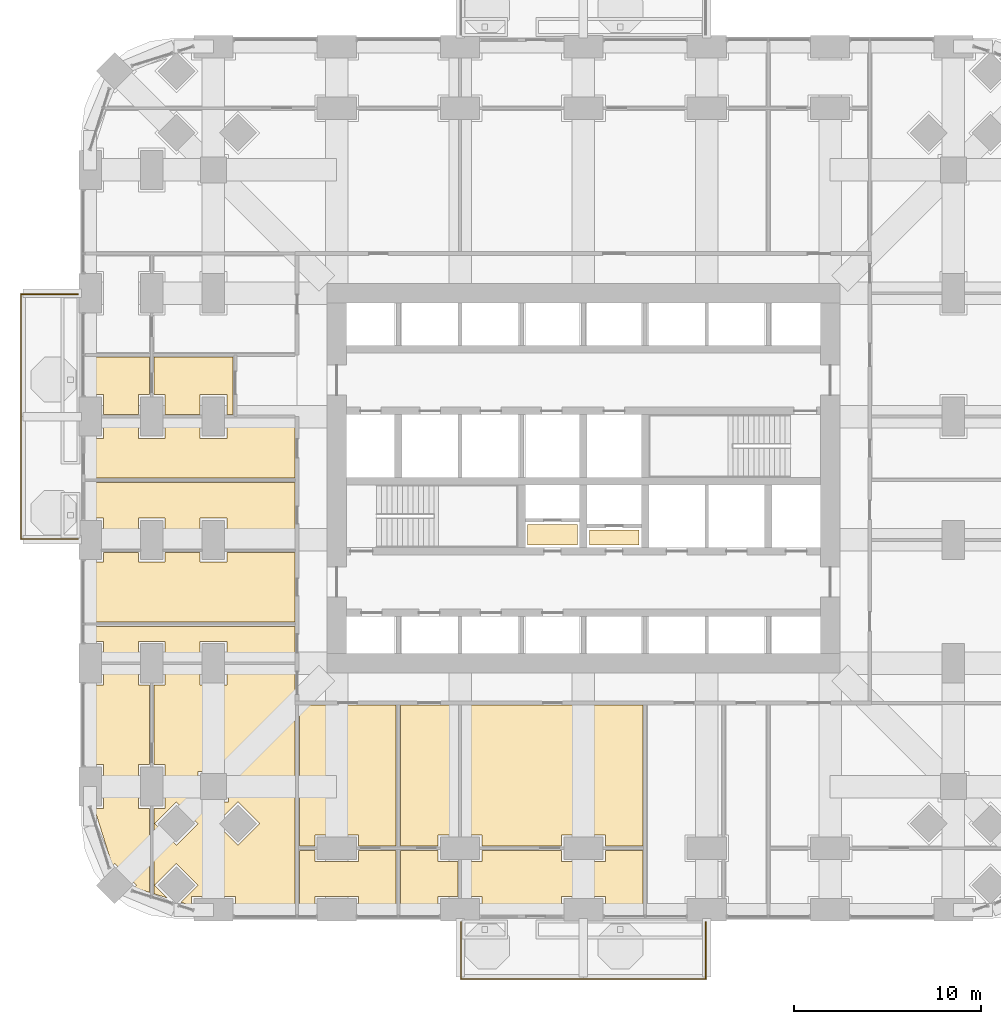
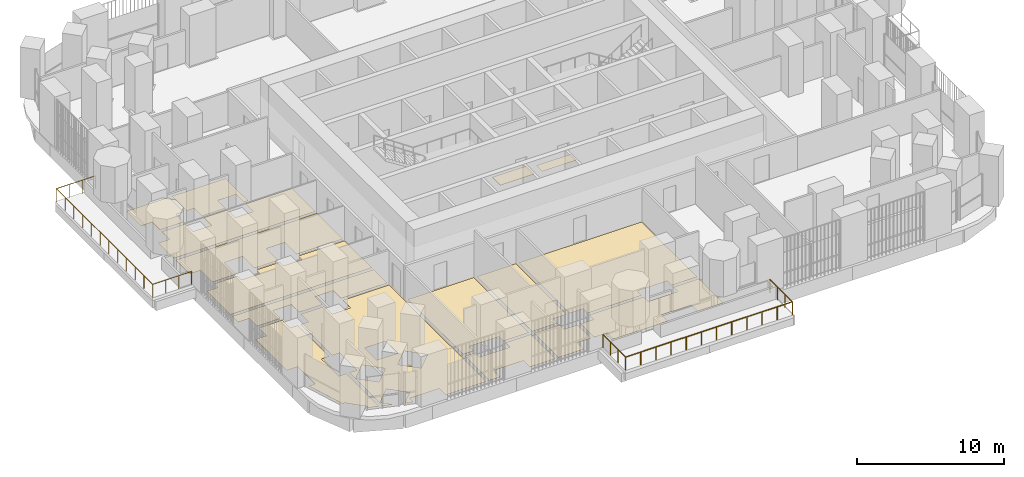
# One storey, part 22 of 26: 16 coverings, 2 railings.
"""IFC4 building model written with IfcOpenShell, lengths in metres."""

import ifcopenshell
import ifcopenshell.guid

model = None  # the IFC model being written
_history = None  # IfcOwnerHistory: only IFC2X3 demands one
_inside = {}  # id of a spatial element -> (the spatial element, [elements in it])
_under = {}  # id of a project, library or spatial element -> (it, [spatial elements below it])
_declared = {}  # id of a project -> (the project, [libraries it declares])
_typed = {}  # id of a type object -> (the type object, [elements of that type])
_made_of = {}  # id of a material, layer set ... -> (it, [elements and type objects made of it])


def new_model(schema):
    """Start an empty IFC model of exactly this schema.

    Asked for "IFC4X3", IfcOpenShell would pick the latest addendum, in which some entities
    have other attributes; the version numbers below select the first issue.
    IFC2X3 requires an IfcOwnerHistory on every rooted entity: one is made here for all.
    """
    global model, _history
    if schema == "IFC4X3":
        model = ifcopenshell.file(schema_version=(4, 3, 0, 0))
    else:
        model = ifcopenshell.file(schema=schema)
    _inside.clear()
    _under.clear()
    _declared.clear()
    _typed.clear()
    _made_of.clear()
    _history = None
    if model.schema == "IFC2X3":
        org = make("IfcOrganization", Name="unknown")
        user = make(
            "IfcPersonAndOrganization",
            ThePerson=make("IfcPerson", FamilyName="unknown"),
            TheOrganization=org,
        )
        app = make(
            "IfcApplication",
            ApplicationDeveloper=org,
            Version="unknown",
            ApplicationFullName="unknown",
            ApplicationIdentifier="unknown",
        )
        _history = make(
            "IfcOwnerHistory",
            OwningUser=user,
            OwningApplication=app,
            ChangeAction="ADDED",
            CreationDate=0,
        )
    return model


def make(cls, **values):
    """One entity of the class cls with the attributes given. An attribute that is None is left unset."""
    return model.create_entity(
        cls, **{name: value for name, value in values.items() if value is not None}
    )


def rooted(cls, **values):
    """An entity with a GlobalId (a new one), such as an element, a storey or a relation."""
    return make(cls, GlobalId=ifcopenshell.guid.new(), OwnerHistory=_history, **values)


def si_unit(unit_type, name, prefix=None):
    """IfcSIUnit, for example si_unit("LENGTHUNIT", "METRE", prefix="MILLI")."""
    return make("IfcSIUnit", UnitType=unit_type, Prefix=prefix, Name=name)


def assignment(units):
    """IfcUnitAssignment: the units of a project."""
    return None if units is None else make("IfcUnitAssignment", Units=units)


def point(xyz):
    """IfcCartesianPoint."""
    return None if xyz is None else make("IfcCartesianPoint", Coordinates=xyz)


def direction(xyz):
    """IfcDirection."""
    return None if xyz is None else make("IfcDirection", DirectionRatios=xyz)


def frame(location, z_axis=None, x_axis=None):
    """IfcAxis2Placement3D, a coordinate frame: its origin and axes. An axis left out is left unset."""
    return make(
        "IfcAxis2Placement3D",
        Location=point(location),
        Axis=direction(z_axis),
        RefDirection=direction(x_axis),
    )


def origin():
    """The frame at (0, 0, 0) with its axes left unset."""
    return frame((0.0, 0.0, 0.0))


def place(relative_to, where):
    """IfcLocalPlacement: puts the frame where relative to a parent placement (None: the world)."""
    return make(
        "IfcLocalPlacement", PlacementRelTo=relative_to, RelativePlacement=where
    )


def context(
    kind, dimensions, precision=None, world=None, true_north=None, identifier=None
):
    """IfcGeometricRepresentationContext, for example the 3D "Model" context."""
    return make(
        "IfcGeometricRepresentationContext",
        ContextIdentifier=identifier,
        ContextType=kind,
        CoordinateSpaceDimension=dimensions,
        Precision=precision,
        WorldCoordinateSystem=world,
        TrueNorth=true_north,
    )


def subcontext(parent, identifier, kind, view, scale=None):
    """IfcGeometricRepresentationSubContext, for example "Body" below "Model"."""
    return make(
        "IfcGeometricRepresentationSubContext",
        ContextIdentifier=identifier,
        ContextType=kind,
        ParentContext=parent,
        TargetScale=scale,
        TargetView=view,
    )


def project(units=None, contexts=None):
    """IfcProject with its units and contexts."""
    return rooted(
        "IfcProject",
        Name="project",
        RepresentationContexts=contexts,
        UnitsInContext=assignment(units),
    )


def spatial(cls, under=None, at=None, **own):
    """A site, building, storey or space (cls), placed at a placement, below another one or the project."""
    s = rooted(cls, ObjectPlacement=at, **own)
    if under is not None:
        _under.setdefault(under.id(), (under, []))[1].append(s)
    return s


def polyline(points):
    """IfcPolyline through the points."""
    return make("IfcPolyline", Points=[point(p) for p in points])


def outline(outer, holes=None, kind="AREA"):
    """IfcArbitraryClosedProfileDef: a profile drawn as a closed curve; with holes, ...WithVoids."""
    if holes is None:
        return make("IfcArbitraryClosedProfileDef", ProfileType=kind, OuterCurve=outer)
    return make(
        "IfcArbitraryProfileDefWithVoids",
        ProfileType=kind,
        OuterCurve=outer,
        InnerCurves=holes,
    )


def extrude(swept, where, along, depth):
    """IfcExtrudedAreaSolid: the profile swept, set in the frame where, extruded along a direction by depth."""
    return make(
        "IfcExtrudedAreaSolid",
        SweptArea=swept,
        Position=where,
        ExtrudedDirection=direction(along),
        Depth=depth,
    )


def shape(context_of_items, identifier, shape_type, items):
    """IfcShapeRepresentation: the items that make up one representation, for example the "Body"."""
    return make(
        "IfcShapeRepresentation",
        ContextOfItems=context_of_items,
        RepresentationIdentifier=identifier,
        RepresentationType=shape_type,
        Items=items,
    )


def material(Name=None, Category=None):
    """IfcMaterial."""
    return make("IfcMaterial", Name=Name, Category=Category)


def layer(
    of_material, thickness, ventilated=None, Name=None, Category=None, Priority=None
):
    """IfcMaterialLayer: one layer of a wall or slab, of a material (None: an air gap)."""
    return make(
        "IfcMaterialLayer",
        Material=of_material,
        LayerThickness=thickness,
        IsVentilated=ventilated,
        Name=Name,
        Category=Category,
        Priority=Priority,
    )


def layer_set(layers, Name=None):
    """IfcMaterialLayerSet."""
    return make("IfcMaterialLayerSet", MaterialLayers=layers, LayerSetName=Name)


def made_of(thing, what):
    """Note that an element or type object is made of a material, layer set ...; save() writes the relation."""
    if what is not None:
        _made_of.setdefault(what.id(), (what, []))[1].append(thing)
    return thing


def type_object(cls, material=None, **own):
    """A type object (cls), such as IfcWallType, which elements share."""
    return made_of(rooted(cls, **own), material)


def element(
    cls,
    number,
    at=None,
    inside=None,
    cuts=None,
    type_object=None,
    material=None,
    context=None,
    identifier="Body",
    shape_type=None,
    held_by="IfcProductDefinitionShape",
    body=None,
    shapes=None,
    **own,
):
    """One element of the class cls, such as IfcWall. Its Tag is "e" and its number.

    at: its placement. inside: the storey or other place that contains it. cuts: it is an
    opening in that element (IfcRelVoidsElement). A single representation is given by context,
    identifier, shape_type and body (its items); several are given by shapes. held_by: the class
    of the entity that holds the representations. save() writes the other relations.
    """
    e = rooted(cls, Tag="e%d" % number, ObjectPlacement=at, **own)
    if body is not None:
        shapes = [shape(context, identifier, shape_type, body)]
    if shapes is not None:
        e.Representation = make(held_by, Representations=shapes)
    if inside is not None:
        _inside.setdefault(inside.id(), (inside, []))[1].append(e)
    if cuts is not None:
        rooted(
            "IfcRelVoidsElement", RelatingBuildingElement=cuts, RelatedOpeningElement=e
        )
    if type_object is not None:
        _typed.setdefault(type_object.id(), (type_object, []))[1].append(e)
    return made_of(e, material)


def aggregate(whole, parts):
    """IfcRelAggregates: a whole, such as a stair, and the parts it consists of."""
    return rooted("IfcRelAggregates", RelatingObject=whole, RelatedObjects=parts)


def save(model, path):
    """Write the relations noted so far, then the file.

    IfcRelAggregates (storeys below a building ...), IfcRelContainedInSpatialStructure (elements
    in a storey), IfcRelDefinesByType, IfcRelAssociatesMaterial and IfcRelDeclares: one each for
    every whole, place, type object, material and project.
    """
    for whole, parts in _under.values():
        aggregate(whole, parts)
    for where, things in _inside.values():
        rooted(
            "IfcRelContainedInSpatialStructure",
            RelatedElements=things,
            RelatingStructure=where,
        )
    for kind, things in _typed.values():
        rooted("IfcRelDefinesByType", RelatedObjects=things, RelatingType=kind)
    for what, things in _made_of.values():
        rooted("IfcRelAssociatesMaterial", RelatedObjects=things, RelatingMaterial=what)
    for by, libraries in _declared.values():
        rooted("IfcRelDeclares", RelatingContext=by, RelatedDefinitions=libraries)
    model.write(path)


model = new_model("IFC4")

# Units and contexts
model_context = context("Model", 3, precision=1e-05, world=origin(), true_north=direction((0.0, 1.0)))
body_context = subcontext(model_context, "Body", "Model", "MODEL_VIEW")
ifc_project = project(units=[si_unit("LENGTHUNIT", "METRE"), si_unit("AREAUNIT", "SQUARE_METRE"), si_unit("VOLUMEUNIT", "CUBIC_METRE"), si_unit("PLANEANGLEUNIT", "RADIAN"), si_unit("MASSUNIT", "GRAM", prefix="KILO")], contexts=[model_context])

# Site, building, storey
site_placement = place(None, origin())
site = spatial("IfcSite", under=ifc_project, at=site_placement, CompositionType="ELEMENT")
building_placement = place(site_placement, origin())
building = spatial("IfcBuilding", under=site, at=building_placement, Name="Cobogo Forest Laboratory Tower", CompositionType="ELEMENT")
storey_placement = place(building_placement, frame((0.0, 0.0, 42.300048828125)))
storey = spatial("IfcBuildingStorey", under=building, at=storey_placement, Name="L09", CompositionType="ELEMENT", Elevation=42.300048828125)

# Railings
ifc_material_1 = material(Name="Laminated glass balustrade", Category="glass")
railing_type = type_object("IfcRailingType", Name="BG1 glass balustrade 1100", PredefinedType="GUARDRAIL", material=ifc_material_1)
railing_1_placement = place(storey_placement, frame((19.85009765625, -0.64990234375, 0.0)))
element("IfcRailing", 1, at=railing_1_placement, inside=storey, type_object=railing_type, Name="Balcony balustrade BAL-S1 L09", PredefinedType="GUARDRAIL", context=body_context, shape_type="SweptSolid", body=[
    extrude(outline(polyline([(0.022216796875, 0.00927734375), (0.00927734375, 0.022216796875), (-0.00927734375, 0.022216796875), (-0.022216796875, 0.00927734375), (-0.022216796875, -0.00927734375), (-0.00927734375, -0.022216796875), (0.00927734375, -0.022216796875), (0.022216796875, -0.00927734375), (0.022216796875, 0.00927734375)])), frame((0.0, 0.0, 1.077880859375), z_axis=(0.0, -1.0, 0.0), x_axis=(1.0, 0.0, 0.0)), (0.0, 0.0, 1.0), 3.050048828125),
    extrude(outline(polyline([(0.022216796875, 0.00927734375), (0.00927734375, 0.022216796875), (-0.00927734375, 0.022216796875), (-0.022216796875, 0.00927734375), (-0.022216796875, -0.00927734375), (-0.00927734375, -0.022216796875), (0.00927734375, -0.022216796875), (0.022216796875, -0.00927734375), (0.022216796875, 0.00927734375)])), frame((0.0, -3.050048828125, 1.077880859375), z_axis=(1.0, 0.0, 0.0), x_axis=(0.0, 1.0, 0.0)), (0.0, 0.0, 1.0), 13.099853515625),
    extrude(outline(polyline([(0.022216796875, 0.00927734375), (0.00927734375, 0.022216796875), (-0.00927734375, 0.022216796875), (-0.022216796875, 0.00927734375), (-0.022216796875, -0.00927734375), (-0.00927734375, -0.022216796875), (0.00927734375, -0.022216796875), (0.022216796875, -0.00927734375), (0.022216796875, 0.00927734375)])), frame((13.099853515625, -3.050048828125, 1.077880859375), z_axis=(0.0, 1.0, 0.0), x_axis=(-1.0, 0.0, 0.0)), (0.0, 0.0, 1.0), 3.050048828125),
    extrude(outline(polyline([(0.019287109375, 0.008056640625), (0.008056640625, 0.019287109375), (-0.008056640625, 0.019287109375), (-0.019287109375, 0.008056640625), (-0.019287109375, -0.008056640625), (-0.008056640625, -0.019287109375), (0.008056640625, -0.019287109375), (0.019287109375, -0.008056640625), (0.019287109375, 0.008056640625)])), origin(), (0.0, 0.0, 1.0), 1.077880859375),
    extrude(outline(polyline([(0.019287109375, 0.008056640625), (0.008056640625, 0.019287109375), (-0.008056640625, 0.019287109375), (-0.019287109375, 0.008056640625), (-0.019287109375, -0.008056640625), (-0.008056640625, -0.019287109375), (0.008056640625, -0.019287109375), (0.019287109375, -0.008056640625), (0.019287109375, 0.008056640625)])), frame((0.0, -1.0166015625, 0.0)), (0.0, 0.0, 1.0), 1.077880859375),
    extrude(outline(polyline([(0.019287109375, 0.008056640625), (0.008056640625, 0.019287109375), (-0.008056640625, 0.019287109375), (-0.019287109375, 0.008056640625), (-0.019287109375, -0.008056640625), (-0.008056640625, -0.019287109375), (0.008056640625, -0.019287109375), (0.019287109375, -0.008056640625), (0.019287109375, 0.008056640625)])), frame((0.0, -2.033447265625, 0.0)), (0.0, 0.0, 1.0), 1.077880859375),
    extrude(outline(polyline([(0.019287109375, 0.008056640625), (0.008056640625, 0.019287109375), (-0.008056640625, 0.019287109375), (-0.019287109375, 0.008056640625), (-0.019287109375, -0.008056640625), (-0.008056640625, -0.019287109375), (0.008056640625, -0.019287109375), (0.019287109375, -0.008056640625), (0.019287109375, 0.008056640625)])), frame((0.0, -3.050048828125, 0.0)), (0.0, 0.0, 1.0), 1.077880859375),
    extrude(outline(polyline([(0.019287109375, 0.008056640625), (0.008056640625, 0.019287109375), (-0.008056640625, 0.019287109375), (-0.019287109375, 0.008056640625), (-0.019287109375, -0.008056640625), (-0.008056640625, -0.019287109375), (0.008056640625, -0.019287109375), (0.019287109375, -0.008056640625), (0.019287109375, 0.008056640625)])), frame((1.19091796875, -3.050048828125, 0.0)), (0.0, 0.0, 1.0), 1.077880859375),
    extrude(outline(polyline([(0.019287109375, 0.008056640625), (0.008056640625, 0.019287109375), (-0.008056640625, 0.019287109375), (-0.019287109375, 0.008056640625), (-0.019287109375, -0.008056640625), (-0.008056640625, -0.019287109375), (0.008056640625, -0.019287109375), (0.019287109375, -0.008056640625), (0.019287109375, 0.008056640625)])), frame((2.3818359375, -3.050048828125, 0.0)), (0.0, 0.0, 1.0), 1.077880859375),
    extrude(outline(polyline([(0.019287109375, 0.008056640625), (0.008056640625, 0.019287109375), (-0.008056640625, 0.019287109375), (-0.019287109375, 0.008056640625), (-0.019287109375, -0.008056640625), (-0.008056640625, -0.019287109375), (0.008056640625, -0.019287109375), (0.019287109375, -0.008056640625), (0.019287109375, 0.008056640625)])), frame((3.57275390625, -3.050048828125, 0.0)), (0.0, 0.0, 1.0), 1.077880859375),
    extrude(outline(polyline([(0.019287109375, 0.008056640625), (0.008056640625, 0.019287109375), (-0.008056640625, 0.019287109375), (-0.019287109375, 0.008056640625), (-0.019287109375, -0.008056640625), (-0.008056640625, -0.019287109375), (0.008056640625, -0.019287109375), (0.019287109375, -0.008056640625), (0.019287109375, 0.008056640625)])), frame((4.763671875, -3.050048828125, 0.0)), (0.0, 0.0, 1.0), 1.077880859375),
    extrude(outline(polyline([(0.019287109375, 0.008056640625), (0.008056640625, 0.019287109375), (-0.008056640625, 0.019287109375), (-0.019287109375, 0.008056640625), (-0.019287109375, -0.008056640625), (-0.008056640625, -0.019287109375), (0.008056640625, -0.019287109375), (0.019287109375, -0.008056640625), (0.019287109375, 0.008056640625)])), frame((5.95458984375, -3.050048828125, 0.0)), (0.0, 0.0, 1.0), 1.077880859375),
    extrude(outline(polyline([(0.019287109375, 0.008056640625), (0.008056640625, 0.019287109375), (-0.008056640625, 0.019287109375), (-0.019287109375, 0.008056640625), (-0.019287109375, -0.008056640625), (-0.008056640625, -0.019287109375), (0.008056640625, -0.019287109375), (0.019287109375, -0.008056640625), (0.019287109375, 0.008056640625)])), frame((7.145263671875, -3.050048828125, 0.0)), (0.0, 0.0, 1.0), 1.077880859375),
    extrude(outline(polyline([(0.019287109375, 0.008056640625), (0.008056640625, 0.019287109375), (-0.008056640625, 0.019287109375), (-0.019287109375, 0.008056640625), (-0.019287109375, -0.008056640625), (-0.008056640625, -0.019287109375), (0.008056640625, -0.019287109375), (0.019287109375, -0.008056640625), (0.019287109375, 0.008056640625)])), frame((8.336181640625, -3.050048828125, 0.0)), (0.0, 0.0, 1.0), 1.077880859375),
    extrude(outline(polyline([(0.019287109375, 0.008056640625), (0.008056640625, 0.019287109375), (-0.008056640625, 0.019287109375), (-0.019287109375, 0.008056640625), (-0.019287109375, -0.008056640625), (-0.008056640625, -0.019287109375), (0.008056640625, -0.019287109375), (0.019287109375, -0.008056640625), (0.019287109375, 0.008056640625)])), frame((9.527099609375, -3.050048828125, 0.0)), (0.0, 0.0, 1.0), 1.077880859375),
    extrude(outline(polyline([(0.019287109375, 0.008056640625), (0.008056640625, 0.019287109375), (-0.008056640625, 0.019287109375), (-0.019287109375, 0.008056640625), (-0.019287109375, -0.008056640625), (-0.008056640625, -0.019287109375), (0.008056640625, -0.019287109375), (0.019287109375, -0.008056640625), (0.019287109375, 0.008056640625)])), frame((10.718017578125, -3.050048828125, 0.0)), (0.0, 0.0, 1.0), 1.077880859375),
    extrude(outline(polyline([(0.019287109375, 0.008056640625), (0.008056640625, 0.019287109375), (-0.008056640625, 0.019287109375), (-0.019287109375, 0.008056640625), (-0.019287109375, -0.008056640625), (-0.008056640625, -0.019287109375), (0.008056640625, -0.019287109375), (0.019287109375, -0.008056640625), (0.019287109375, 0.008056640625)])), frame((11.908935546875, -3.050048828125, 0.0)), (0.0, 0.0, 1.0), 1.077880859375),
    extrude(outline(polyline([(0.019287109375, 0.008056640625), (0.008056640625, 0.019287109375), (-0.008056640625, 0.019287109375), (-0.019287109375, 0.008056640625), (-0.019287109375, -0.008056640625), (-0.008056640625, -0.019287109375), (0.008056640625, -0.019287109375), (0.019287109375, -0.008056640625), (0.019287109375, 0.008056640625)])), frame((13.099853515625, -3.050048828125, 0.0)), (0.0, 0.0, 1.0), 1.077880859375),
    extrude(outline(polyline([(0.019287109375, 0.008056640625), (0.008056640625, 0.019287109375), (-0.008056640625, 0.019287109375), (-0.019287109375, 0.008056640625), (-0.019287109375, -0.008056640625), (-0.008056640625, -0.019287109375), (0.008056640625, -0.019287109375), (0.019287109375, -0.008056640625), (0.019287109375, 0.008056640625)])), frame((13.099853515625, -2.033447265625, 0.0)), (0.0, 0.0, 1.0), 1.077880859375),
    extrude(outline(polyline([(0.019287109375, 0.008056640625), (0.008056640625, 0.019287109375), (-0.008056640625, 0.019287109375), (-0.019287109375, 0.008056640625), (-0.019287109375, -0.008056640625), (-0.008056640625, -0.019287109375), (0.008056640625, -0.019287109375), (0.019287109375, -0.008056640625), (0.019287109375, 0.008056640625)])), frame((13.099853515625, -1.0166015625, 0.0)), (0.0, 0.0, 1.0), 1.077880859375),
    extrude(outline(polyline([(0.019287109375, 0.008056640625), (0.008056640625, 0.019287109375), (-0.008056640625, 0.019287109375), (-0.019287109375, 0.008056640625), (-0.019287109375, -0.008056640625), (-0.008056640625, -0.019287109375), (0.008056640625, -0.019287109375), (0.019287109375, -0.008056640625), (0.019287109375, 0.008056640625)])), frame((13.099853515625, 0.0, 0.0)), (0.0, 0.0, 1.0), 1.077880859375),
])
railing_2_placement = place(storey_placement, frame((-0.64990234375, 19.85009765625, 0.0)))
element("IfcRailing", 2, at=railing_2_placement, inside=storey, type_object=railing_type, Name="Balcony balustrade BAL-W1 L09", PredefinedType="GUARDRAIL", context=body_context, shape_type="SweptSolid", body=[
    extrude(outline(polyline([(0.022216796875, 0.00927734375), (0.00927734375, 0.022216796875), (-0.00927734375, 0.022216796875), (-0.022216796875, 0.00927734375), (-0.022216796875, -0.00927734375), (-0.00927734375, -0.022216796875), (0.00927734375, -0.022216796875), (0.022216796875, -0.00927734375), (0.022216796875, 0.00927734375)])), frame((0.0, 0.0, 1.077880859375), z_axis=(-1.0, 0.0, 0.0), x_axis=(0.0, -1.0, 0.0)), (0.0, 0.0, 1.0), 3.050048828125),
    extrude(outline(polyline([(0.022216796875, 0.00927734375), (0.00927734375, 0.022216796875), (-0.00927734375, 0.022216796875), (-0.022216796875, 0.00927734375), (-0.022216796875, -0.00927734375), (-0.00927734375, -0.022216796875), (0.00927734375, -0.022216796875), (0.022216796875, -0.00927734375), (0.022216796875, 0.00927734375)])), frame((-3.050048828125, 0.0, 1.077880859375), z_axis=(0.0, 1.0, 0.0), x_axis=(-1.0, 0.0, 0.0)), (0.0, 0.0, 1.0), 13.099853515625),
    extrude(outline(polyline([(0.022216796875, 0.00927734375), (0.00927734375, 0.022216796875), (-0.00927734375, 0.022216796875), (-0.022216796875, 0.00927734375), (-0.022216796875, -0.00927734375), (-0.00927734375, -0.022216796875), (0.00927734375, -0.022216796875), (0.022216796875, -0.00927734375), (0.022216796875, 0.00927734375)])), frame((-3.050048828125, 13.099853515625, 1.077880859375), z_axis=(1.0, 0.0, 0.0), x_axis=(0.0, 1.0, 0.0)), (0.0, 0.0, 1.0), 3.050048828125),
    extrude(outline(polyline([(0.019287109375, 0.008056640625), (0.008056640625, 0.019287109375), (-0.008056640625, 0.019287109375), (-0.019287109375, 0.008056640625), (-0.019287109375, -0.008056640625), (-0.008056640625, -0.019287109375), (0.008056640625, -0.019287109375), (0.019287109375, -0.008056640625), (0.019287109375, 0.008056640625)])), origin(), (0.0, 0.0, 1.0), 1.077880859375),
    extrude(outline(polyline([(0.019287109375, 0.008056640625), (0.008056640625, 0.019287109375), (-0.008056640625, 0.019287109375), (-0.019287109375, 0.008056640625), (-0.019287109375, -0.008056640625), (-0.008056640625, -0.019287109375), (0.008056640625, -0.019287109375), (0.019287109375, -0.008056640625), (0.019287109375, 0.008056640625)])), frame((-1.0166015625, 0.0, 0.0)), (0.0, 0.0, 1.0), 1.077880859375),
    extrude(outline(polyline([(0.019287109375, 0.008056640625), (0.008056640625, 0.019287109375), (-0.008056640625, 0.019287109375), (-0.019287109375, 0.008056640625), (-0.019287109375, -0.008056640625), (-0.008056640625, -0.019287109375), (0.008056640625, -0.019287109375), (0.019287109375, -0.008056640625), (0.019287109375, 0.008056640625)])), frame((-2.033447265625, 0.0, 0.0)), (0.0, 0.0, 1.0), 1.077880859375),
    extrude(outline(polyline([(0.019287109375, 0.008056640625), (0.008056640625, 0.019287109375), (-0.008056640625, 0.019287109375), (-0.019287109375, 0.008056640625), (-0.019287109375, -0.008056640625), (-0.008056640625, -0.019287109375), (0.008056640625, -0.019287109375), (0.019287109375, -0.008056640625), (0.019287109375, 0.008056640625)])), frame((-3.050048828125, 0.0, 0.0)), (0.0, 0.0, 1.0), 1.077880859375),
    extrude(outline(polyline([(0.019287109375, 0.008056640625), (0.008056640625, 0.019287109375), (-0.008056640625, 0.019287109375), (-0.019287109375, 0.008056640625), (-0.019287109375, -0.008056640625), (-0.008056640625, -0.019287109375), (0.008056640625, -0.019287109375), (0.019287109375, -0.008056640625), (0.019287109375, 0.008056640625)])), frame((-3.050048828125, 1.19091796875, 0.0)), (0.0, 0.0, 1.0), 1.077880859375),
    extrude(outline(polyline([(0.019287109375, 0.008056640625), (0.008056640625, 0.019287109375), (-0.008056640625, 0.019287109375), (-0.019287109375, 0.008056640625), (-0.019287109375, -0.008056640625), (-0.008056640625, -0.019287109375), (0.008056640625, -0.019287109375), (0.019287109375, -0.008056640625), (0.019287109375, 0.008056640625)])), frame((-3.050048828125, 2.3818359375, 0.0)), (0.0, 0.0, 1.0), 1.077880859375),
    extrude(outline(polyline([(0.019287109375, 0.008056640625), (0.008056640625, 0.019287109375), (-0.008056640625, 0.019287109375), (-0.019287109375, 0.008056640625), (-0.019287109375, -0.008056640625), (-0.008056640625, -0.019287109375), (0.008056640625, -0.019287109375), (0.019287109375, -0.008056640625), (0.019287109375, 0.008056640625)])), frame((-3.050048828125, 3.57275390625, 0.0)), (0.0, 0.0, 1.0), 1.077880859375),
    extrude(outline(polyline([(0.019287109375, 0.008056640625), (0.008056640625, 0.019287109375), (-0.008056640625, 0.019287109375), (-0.019287109375, 0.008056640625), (-0.019287109375, -0.008056640625), (-0.008056640625, -0.019287109375), (0.008056640625, -0.019287109375), (0.019287109375, -0.008056640625), (0.019287109375, 0.008056640625)])), frame((-3.050048828125, 4.763671875, 0.0)), (0.0, 0.0, 1.0), 1.077880859375),
    extrude(outline(polyline([(0.019287109375, 0.008056640625), (0.008056640625, 0.019287109375), (-0.008056640625, 0.019287109375), (-0.019287109375, 0.008056640625), (-0.019287109375, -0.008056640625), (-0.008056640625, -0.019287109375), (0.008056640625, -0.019287109375), (0.019287109375, -0.008056640625), (0.019287109375, 0.008056640625)])), frame((-3.050048828125, 5.95458984375, 0.0)), (0.0, 0.0, 1.0), 1.077880859375),
    extrude(outline(polyline([(0.019287109375, 0.008056640625), (0.008056640625, 0.019287109375), (-0.008056640625, 0.019287109375), (-0.019287109375, 0.008056640625), (-0.019287109375, -0.008056640625), (-0.008056640625, -0.019287109375), (0.008056640625, -0.019287109375), (0.019287109375, -0.008056640625), (0.019287109375, 0.008056640625)])), frame((-3.050048828125, 7.145263671875, 0.0)), (0.0, 0.0, 1.0), 1.077880859375),
    extrude(outline(polyline([(0.019287109375, 0.008056640625), (0.008056640625, 0.019287109375), (-0.008056640625, 0.019287109375), (-0.019287109375, 0.008056640625), (-0.019287109375, -0.008056640625), (-0.008056640625, -0.019287109375), (0.008056640625, -0.019287109375), (0.019287109375, -0.008056640625), (0.019287109375, 0.008056640625)])), frame((-3.050048828125, 8.336181640625, 0.0)), (0.0, 0.0, 1.0), 1.077880859375),
    extrude(outline(polyline([(0.019287109375, 0.008056640625), (0.008056640625, 0.019287109375), (-0.008056640625, 0.019287109375), (-0.019287109375, 0.008056640625), (-0.019287109375, -0.008056640625), (-0.008056640625, -0.019287109375), (0.008056640625, -0.019287109375), (0.019287109375, -0.008056640625), (0.019287109375, 0.008056640625)])), frame((-3.050048828125, 9.527099609375, 0.0)), (0.0, 0.0, 1.0), 1.077880859375),
    extrude(outline(polyline([(0.019287109375, 0.008056640625), (0.008056640625, 0.019287109375), (-0.008056640625, 0.019287109375), (-0.019287109375, 0.008056640625), (-0.019287109375, -0.008056640625), (-0.008056640625, -0.019287109375), (0.008056640625, -0.019287109375), (0.019287109375, -0.008056640625), (0.019287109375, 0.008056640625)])), frame((-3.050048828125, 10.718017578125, 0.0)), (0.0, 0.0, 1.0), 1.077880859375),
    extrude(outline(polyline([(0.019287109375, 0.008056640625), (0.008056640625, 0.019287109375), (-0.008056640625, 0.019287109375), (-0.019287109375, 0.008056640625), (-0.019287109375, -0.008056640625), (-0.008056640625, -0.019287109375), (0.008056640625, -0.019287109375), (0.019287109375, -0.008056640625), (0.019287109375, 0.008056640625)])), frame((-3.050048828125, 11.908935546875, 0.0)), (0.0, 0.0, 1.0), 1.077880859375),
    extrude(outline(polyline([(0.019287109375, 0.008056640625), (0.008056640625, 0.019287109375), (-0.008056640625, 0.019287109375), (-0.019287109375, 0.008056640625), (-0.019287109375, -0.008056640625), (-0.008056640625, -0.019287109375), (0.008056640625, -0.019287109375), (0.019287109375, -0.008056640625), (0.019287109375, 0.008056640625)])), frame((-3.050048828125, 13.099853515625, 0.0)), (0.0, 0.0, 1.0), 1.077880859375),
    extrude(outline(polyline([(0.019287109375, 0.008056640625), (0.008056640625, 0.019287109375), (-0.008056640625, 0.019287109375), (-0.019287109375, 0.008056640625), (-0.019287109375, -0.008056640625), (-0.008056640625, -0.019287109375), (0.008056640625, -0.019287109375), (0.019287109375, -0.008056640625), (0.019287109375, 0.008056640625)])), frame((-2.033447265625, 13.099853515625, 0.0)), (0.0, 0.0, 1.0), 1.077880859375),
    extrude(outline(polyline([(0.019287109375, 0.008056640625), (0.008056640625, 0.019287109375), (-0.008056640625, 0.019287109375), (-0.019287109375, 0.008056640625), (-0.019287109375, -0.008056640625), (-0.008056640625, -0.019287109375), (0.008056640625, -0.019287109375), (0.019287109375, -0.008056640625), (0.019287109375, 0.008056640625)])), frame((-1.0166015625, 13.099853515625, 0.0)), (0.0, 0.0, 1.0), 1.077880859375),
    extrude(outline(polyline([(0.019287109375, 0.008056640625), (0.008056640625, 0.019287109375), (-0.008056640625, 0.019287109375), (-0.019287109375, 0.008056640625), (-0.019287109375, -0.008056640625), (-0.008056640625, -0.019287109375), (0.008056640625, -0.019287109375), (0.019287109375, -0.008056640625), (0.019287109375, 0.008056640625)])), frame((0.0, 13.099853515625, 0.0)), (0.0, 0.0, 1.0), 1.077880859375),
])

# Coverings
ifc_material_2 = material(Name="Carpet tile on raised access floor", Category="flooring")
ifc_layer_1 = layer(ifc_material_2, 0.008056640625)
ifc_layer_set_1 = layer_set([ifc_layer_1], Name="CT1 carpet tile floor 8")
covering_type_1 = type_object("IfcCoveringType", Name="CT1 carpet tile floor 8", PredefinedType="FLOORING", material=ifc_layer_set_1)
covering_1_placement = place(storey_placement, origin())
element("IfcCovering", 3, at=covering_1_placement, inside=storey, type_object=covering_type_1, Name="Carpet floor L09-02", PredefinedType="FLOORING", context=body_context, shape_type="SweptSolid", body=[
    extrude(outline(polyline([(12.030029296875, 3.179931640625), (12.030029296875, 2.580078125), (14.3701171875, 2.580078125), (14.3701171875, 3.179931640625), (16.3798828125, 3.179931640625), (16.3798828125, -0.14990234375), (14.3701171875, -0.14990234375), (14.3701171875, 0.719970703125), (12.030029296875, 0.719970703125), (12.030029296875, -0.14990234375), (11.195068359375, -0.14990234375), (11.195068359375, 3.179931640625), (12.030029296875, 3.179931640625)])), origin(), (0.0, 0.0, 1.0), 0.008056640625),
])
covering_2_placement = place(storey_placement, origin())
element("IfcCovering", 4, at=covering_2_placement, inside=storey, type_object=covering_type_1, Name="Carpet floor L09-04", PredefinedType="FLOORING", context=body_context, shape_type="SweptSolid", body=[
    extrude(outline(polyline([(18.6298828125, 3.179931640625), (18.6298828125, 2.580078125), (19.679931640625, 2.580078125), (19.679931640625, 0.719970703125), (18.6298828125, 0.719970703125), (18.6298828125, -0.14990234375), (16.6201171875, -0.14990234375), (16.6201171875, 3.179931640625), (18.6298828125, 3.179931640625)])), origin(), (0.0, 0.0, 1.0), 0.008056640625),
])
covering_3_placement = place(storey_placement, origin())
element("IfcCovering", 5, at=covering_3_placement, inside=storey, type_object=covering_type_1, Name="Carpet floor L09-06", PredefinedType="FLOORING", context=body_context, shape_type="SweptSolid", body=[
    extrude(outline(polyline([(25.22998046875, 3.179931640625), (25.22998046875, 2.580078125), (27.570068359375, 2.580078125), (27.570068359375, 3.179931640625), (29.580078125, 3.179931640625), (29.580078125, -0.14990234375), (27.570068359375, -0.14990234375), (27.570068359375, 0.719970703125), (25.22998046875, 0.719970703125), (25.22998046875, -0.14990234375), (20.969970703125, -0.14990234375), (20.969970703125, 0.719970703125), (19.919921875, 0.719970703125), (19.919921875, 2.580078125), (20.969970703125, 2.580078125), (20.969970703125, 3.179931640625), (25.22998046875, 3.179931640625)])), origin(), (0.0, 0.0, 1.0), 0.008056640625),
])
covering_4_placement = place(storey_placement, origin())
element("IfcCovering", 6, at=covering_4_placement, inside=storey, type_object=covering_type_1, Name="Carpet floor L09-26", PredefinedType="FLOORING", context=body_context, shape_type="SweptSolid", body=[
    extrude(outline(polyline([(3.179931640625, 7.77001953125), (2.580078125, 7.77001953125), (2.580078125, 5.429931640625), (3.179931640625, 5.429931640625), (3.179931640625, 0.939697265625), (2.358642578125, 1.19921875), (2.477783203125, 1.318115234375), (1.318115234375, 2.477783203125), (1.19921875, 2.358642578125), (0.229248046875, 5.429931640625), (0.719970703125, 5.429931640625), (0.719970703125, 7.77001953125), (-0.14990234375, 7.77001953125), (-0.14990234375, 12.030029296875), (0.719970703125, 12.030029296875), (0.719970703125, 13.080078125), (2.580078125, 13.080078125), (2.580078125, 12.030029296875), (3.179931640625, 12.030029296875), (3.179931640625, 7.77001953125)])), origin(), (0.0, 0.0, 1.0), 0.008056640625),
])
covering_5_placement = place(storey_placement, origin())
element("IfcCovering", 7, at=covering_5_placement, inside=storey, type_object=covering_type_1, Name="Carpet floor L09-32", PredefinedType="FLOORING", context=body_context, shape_type="SweptSolid", body=[
    extrude(outline(polyline([(3.179931640625, 27.570068359375), (2.580078125, 27.570068359375), (2.580078125, 26.52001953125), (0.719970703125, 26.52001953125), (0.719970703125, 27.570068359375), (-0.14990234375, 27.570068359375), (-0.14990234375, 29.580078125), (3.179931640625, 29.580078125), (3.179931640625, 27.570068359375)])), origin(), (0.0, 0.0, 1.0), 0.008056640625),
])
covering_6_placement = place(storey_placement, origin())
element("IfcCovering", 8, at=covering_6_placement, inside=storey, type_object=covering_type_1, Name="Carpet floor L09-40", PredefinedType="FLOORING", context=body_context, shape_type="SweptSolid", body=[
    extrude(outline(polyline([(26.080078125, 19.52001953125), (23.419921875, 19.52001953125), (23.419921875, 20.6298828125), (26.080078125, 20.6298828125), (26.080078125, 19.52001953125)])), origin(), (0.0, 0.0, 1.0), 0.008056640625),
])
covering_7_placement = place(storey_placement, origin())
element("IfcCovering", 9, at=covering_7_placement, inside=storey, type_object=covering_type_1, Name="Carpet floor L09-42", PredefinedType="FLOORING", context=body_context, shape_type="SweptSolid", body=[
    extrude(outline(polyline([(29.3798828125, 19.52001953125), (26.719970703125, 19.52001953125), (26.719970703125, 20.330078125), (29.3798828125, 20.330078125), (29.3798828125, 19.52001953125)])), origin(), (0.0, 0.0, 1.0), 0.008056640625),
])
ifc_material_3 = material(Name="Epoxy resin flooring", Category="flooring")
ifc_layer_2 = layer(ifc_material_3, 0.00390625)
ifc_layer_set_2 = layer_set([ifc_layer_2], Name="LF1 epoxy laboratory floor 4")
covering_type_2 = type_object("IfcCoveringType", Name="LF1 epoxy laboratory floor 4", PredefinedType="FLOORING", material=ifc_layer_set_2)
covering_8_placement = place(storey_placement, origin())
element("IfcCovering", 10, at=covering_8_placement, inside=storey, type_object=covering_type_2, Name="Epoxy laboratory floor L09-01", PredefinedType="FLOORING", context=body_context, shape_type="SweptSolid", body=[
    extrude(outline(polyline([(11.195068359375, 10.955078125), (16.3798828125, 10.955078125), (16.3798828125, 3.419921875), (14.3701171875, 3.419921875), (14.3701171875, 4.02001953125), (12.030029296875, 4.02001953125), (12.030029296875, 3.419921875), (11.195068359375, 3.419921875), (11.195068359375, 10.955078125)])), origin(), (0.0, 0.0, 1.0), 0.00390625),
])
covering_9_placement = place(storey_placement, origin())
element("IfcCovering", 11, at=covering_9_placement, inside=storey, type_object=covering_type_2, Name="Epoxy laboratory floor L09-03", PredefinedType="FLOORING", context=body_context, shape_type="SweptSolid", body=[
    extrude(outline(polyline([(16.6201171875, 10.955078125), (19.679931640625, 10.955078125), (19.679931640625, 4.02001953125), (18.6298828125, 4.02001953125), (18.6298828125, 3.419921875), (16.6201171875, 3.419921875), (16.6201171875, 10.955078125)])), origin(), (0.0, 0.0, 1.0), 0.00390625),
])
covering_10_placement = place(storey_placement, origin())
element("IfcCovering", 12, at=covering_10_placement, inside=storey, type_object=covering_type_2, Name="Epoxy laboratory floor L09-05", PredefinedType="FLOORING", context=body_context, shape_type="SweptSolid", body=[
    extrude(outline(polyline([(19.919921875, 10.955078125), (29.580078125, 10.955078125), (29.580078125, 3.419921875), (27.570068359375, 3.419921875), (27.570068359375, 4.02001953125), (25.22998046875, 4.02001953125), (25.22998046875, 3.419921875), (20.969970703125, 3.419921875), (20.969970703125, 4.02001953125), (19.919921875, 4.02001953125), (19.919921875, 10.955078125)])), origin(), (0.0, 0.0, 1.0), 0.00390625),
])
covering_11_placement = place(storey_placement, origin())
element("IfcCovering", 13, at=covering_11_placement, inside=storey, type_object=covering_type_2, Name="Epoxy laboratory floor L09-25", PredefinedType="FLOORING", context=body_context, shape_type="SweptSolid", body=[
    extrude(outline(polyline([(5.8798828125, 13.080078125), (5.8798828125, 12.030029296875), (7.320068359375, 12.030029296875), (7.320068359375, 13.080078125), (10.955078125, 13.080078125), (10.955078125, -0.14990234375), (7.77001953125, -0.14990234375), (7.77001953125, 0.719970703125), (5.429931640625, 0.719970703125), (5.429931640625, 0.229248046875), (4.86669921875, 0.406982421875), (5.777587890625, 1.318115234375), (4.617919921875, 2.477783203125), (3.458251953125, 1.318115234375), (4.1396484375, 0.63671875), (3.419921875, 0.864013671875), (3.419921875, 5.429931640625), (4.02001953125, 5.429931640625), (4.02001953125, 7.77001953125), (3.419921875, 7.77001953125), (3.419921875, 12.030029296875), (4.02001953125, 12.030029296875), (4.02001953125, 13.080078125), (5.8798828125, 13.080078125)]), holes=[polyline([(7.91796875, 5.777587890625), (6.75830078125, 4.617919921875), (7.91796875, 3.458251953125), (9.07763671875, 4.617919921875), (7.91796875, 5.777587890625)]), polyline([(5.780029296875, 7.419921875), (5.780029296875, 5.780029296875), (7.419921875, 5.780029296875), (7.419921875, 7.419921875), (5.780029296875, 7.419921875)]), polyline([(3.458251953125, 4.617919921875), (4.617919921875, 3.458251953125), (5.777587890625, 4.617919921875), (4.617919921875, 5.777587890625), (3.458251953125, 4.617919921875)])]), origin(), (0.0, 0.0, 1.0), 0.00390625),
])
covering_12_placement = place(storey_placement, origin())
element("IfcCovering", 14, at=covering_12_placement, inside=storey, type_object=covering_type_2, Name="Epoxy laboratory floor L09-31", PredefinedType="FLOORING", context=body_context, shape_type="SweptSolid", body=[
    extrude(outline(polyline([(3.419921875, 29.580078125), (7.655029296875, 29.580078125), (7.655029296875, 26.52001953125), (7.320068359375, 26.52001953125), (7.320068359375, 27.570068359375), (5.8798828125, 27.570068359375), (5.8798828125, 26.52001953125), (4.02001953125, 26.52001953125), (4.02001953125, 27.570068359375), (3.419921875, 27.570068359375), (3.419921875, 29.580078125)])), origin(), (0.0, 0.0, 1.0), 0.00390625),
])
ifc_material_4 = material(Name="Ceramic floor tile", Category="flooring")
ifc_layer_3 = layer(ifc_material_4, 0.010009765625)
ifc_layer_set_3 = layer_set([ifc_layer_3], Name="TF1 ceramic tile floor 10")
covering_type_3 = type_object("IfcCoveringType", Name="TF1 ceramic tile floor 10", PredefinedType="FLOORING", material=ifc_layer_set_3)
covering_13_placement = place(storey_placement, origin())
element("IfcCovering", 15, at=covering_13_placement, inside=storey, type_object=covering_type_3, Name="Tile floor L09-27", PredefinedType="FLOORING", context=body_context, shape_type="SweptSolid", body=[
    extrude(outline(polyline([(10.955078125, 13.320068359375), (7.320068359375, 13.320068359375), (7.320068359375, 14.3701171875), (5.8798828125, 14.3701171875), (5.8798828125, 13.320068359375), (4.02001953125, 13.320068359375), (4.02001953125, 14.3701171875), (2.580078125, 14.3701171875), (2.580078125, 13.320068359375), (0.719970703125, 13.320068359375), (0.719970703125, 14.3701171875), (-0.14990234375, 14.3701171875), (-0.14990234375, 15.179931640625), (10.955078125, 15.179931640625), (10.955078125, 13.320068359375)])), origin(), (0.0, 0.0, 1.0), 0.010009765625),
])
covering_14_placement = place(storey_placement, origin())
element("IfcCovering", 16, at=covering_14_placement, inside=storey, type_object=covering_type_3, Name="Tile floor L09-28", PredefinedType="FLOORING", context=body_context, shape_type="SweptSolid", body=[
    extrude(outline(polyline([(10.955078125, 15.419921875), (-0.14990234375, 15.419921875), (-0.14990234375, 18.6298828125), (0.719970703125, 18.6298828125), (0.719970703125, 19.1298828125), (2.580078125, 19.1298828125), (2.580078125, 18.6298828125), (4.02001953125, 18.6298828125), (4.02001953125, 19.1298828125), (5.8798828125, 19.1298828125), (5.8798828125, 18.6298828125), (7.320068359375, 18.6298828125), (7.320068359375, 19.1298828125), (10.955078125, 19.1298828125), (10.955078125, 15.419921875)])), origin(), (0.0, 0.0, 1.0), 0.010009765625),
])
covering_15_placement = place(storey_placement, origin())
element("IfcCovering", 17, at=covering_15_placement, inside=storey, type_object=covering_type_3, Name="Tile floor L09-29", PredefinedType="FLOORING", context=body_context, shape_type="SweptSolid", body=[
    extrude(outline(polyline([(10.955078125, 19.3701171875), (7.320068359375, 19.3701171875), (7.320068359375, 20.969970703125), (5.8798828125, 20.969970703125), (5.8798828125, 19.3701171875), (4.02001953125, 19.3701171875), (4.02001953125, 20.969970703125), (2.580078125, 20.969970703125), (2.580078125, 19.3701171875), (0.719970703125, 19.3701171875), (0.719970703125, 20.969970703125), (-0.14990234375, 20.969970703125), (-0.14990234375, 22.8798828125), (10.955078125, 22.8798828125), (10.955078125, 19.3701171875)])), origin(), (0.0, 0.0, 1.0), 0.010009765625),
])
covering_16_placement = place(storey_placement, origin())
element("IfcCovering", 18, at=covering_16_placement, inside=storey, type_object=covering_type_3, Name="Tile floor L09-30", PredefinedType="FLOORING", context=body_context, shape_type="SweptSolid", body=[
    extrude(outline(polyline([(10.955078125, 23.1201171875), (-0.14990234375, 23.1201171875), (-0.14990234375, 25.22998046875), (0.719970703125, 25.22998046875), (0.719970703125, 26.280029296875), (2.580078125, 26.280029296875), (2.580078125, 25.22998046875), (4.02001953125, 25.22998046875), (4.02001953125, 26.280029296875), (5.8798828125, 26.280029296875), (5.8798828125, 25.22998046875), (7.320068359375, 25.22998046875), (7.320068359375, 26.280029296875), (10.955078125, 26.280029296875), (10.955078125, 23.1201171875)])), origin(), (0.0, 0.0, 1.0), 0.010009765625),
])

save(model, "model.ifc")
